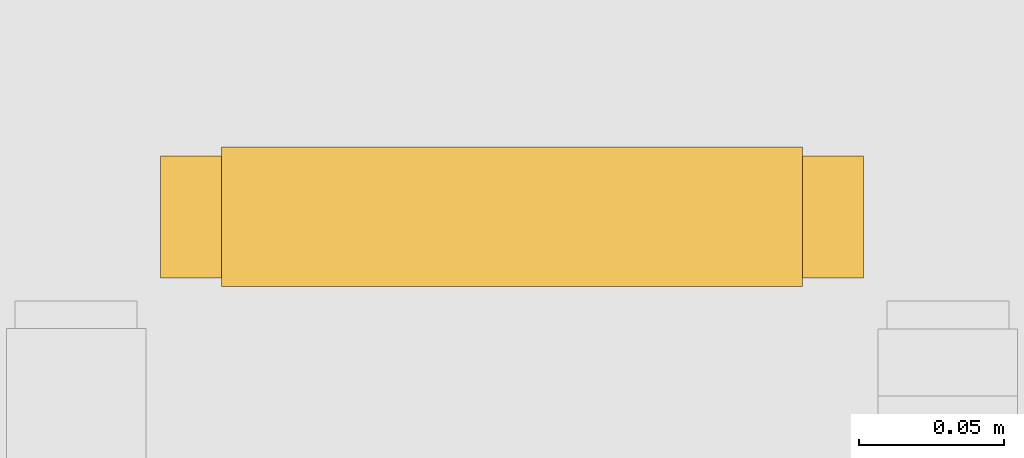
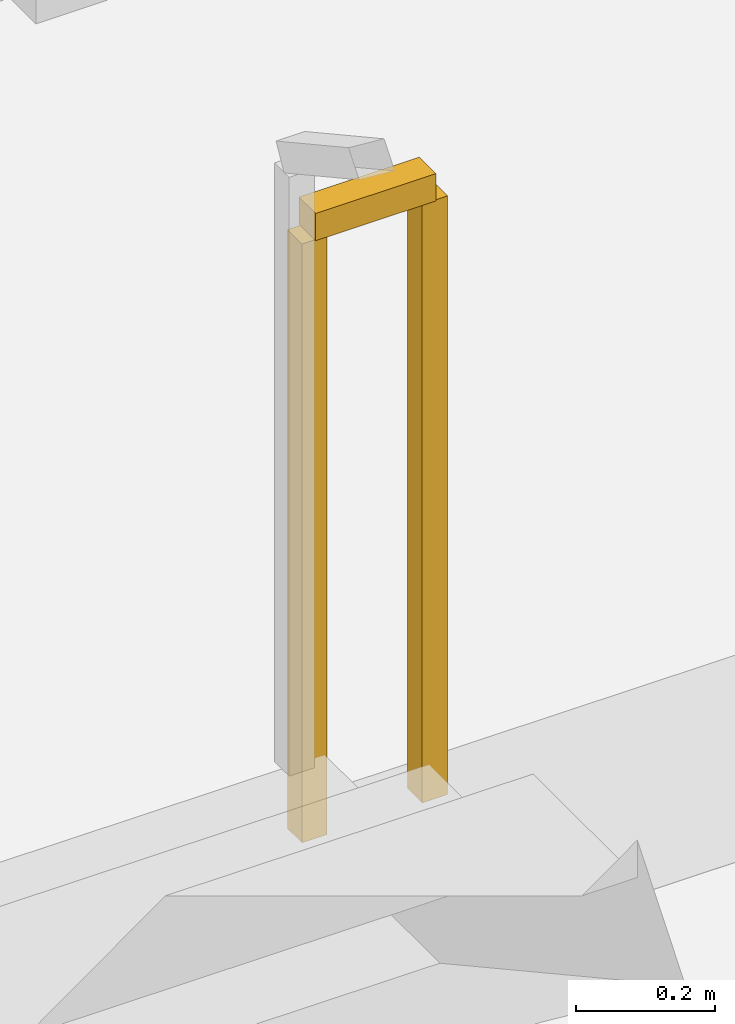
# One storey, part 18 of 25: 1 railing.
"""IFC4 building model written with IfcOpenShell, lengths in metres."""

import ifcopenshell
import ifcopenshell.guid

model = None  # the IFC model being written
_history = None  # IfcOwnerHistory: only IFC2X3 demands one
_inside = {}  # id of a spatial element -> (the spatial element, [elements in it])
_under = {}  # id of a project, library or spatial element -> (it, [spatial elements below it])
_declared = {}  # id of a project -> (the project, [libraries it declares])
_typed = {}  # id of a type object -> (the type object, [elements of that type])
_made_of = {}  # id of a material, layer set ... -> (it, [elements and type objects made of it])


def new_model(schema):
    """Start an empty IFC model of exactly this schema.

    Asked for "IFC4X3", IfcOpenShell would pick the latest addendum, in which some entities
    have other attributes; the version numbers below select the first issue.
    IFC2X3 requires an IfcOwnerHistory on every rooted entity: one is made here for all.
    """
    global model, _history
    if schema == "IFC4X3":
        model = ifcopenshell.file(schema_version=(4, 3, 0, 0))
    else:
        model = ifcopenshell.file(schema=schema)
    _inside.clear()
    _under.clear()
    _declared.clear()
    _typed.clear()
    _made_of.clear()
    _history = None
    if model.schema == "IFC2X3":
        org = make("IfcOrganization", Name="unknown")
        user = make(
            "IfcPersonAndOrganization",
            ThePerson=make("IfcPerson", FamilyName="unknown"),
            TheOrganization=org,
        )
        app = make(
            "IfcApplication",
            ApplicationDeveloper=org,
            Version="unknown",
            ApplicationFullName="unknown",
            ApplicationIdentifier="unknown",
        )
        _history = make(
            "IfcOwnerHistory",
            OwningUser=user,
            OwningApplication=app,
            ChangeAction="ADDED",
            CreationDate=0,
        )
    return model


def make(cls, **values):
    """One entity of the class cls with the attributes given. An attribute that is None is left unset."""
    return model.create_entity(
        cls, **{name: value for name, value in values.items() if value is not None}
    )


def rooted(cls, **values):
    """An entity with a GlobalId (a new one), such as an element, a storey or a relation."""
    return make(cls, GlobalId=ifcopenshell.guid.new(), OwnerHistory=_history, **values)


def si_unit(unit_type, name, prefix=None):
    """IfcSIUnit, for example si_unit("LENGTHUNIT", "METRE", prefix="MILLI")."""
    return make("IfcSIUnit", UnitType=unit_type, Prefix=prefix, Name=name)


def assignment(units):
    """IfcUnitAssignment: the units of a project."""
    return None if units is None else make("IfcUnitAssignment", Units=units)


def point(xyz):
    """IfcCartesianPoint."""
    return None if xyz is None else make("IfcCartesianPoint", Coordinates=xyz)


def direction(xyz):
    """IfcDirection."""
    return None if xyz is None else make("IfcDirection", DirectionRatios=xyz)


def frame(location, z_axis=None, x_axis=None):
    """IfcAxis2Placement3D, a coordinate frame: its origin and axes. An axis left out is left unset."""
    return make(
        "IfcAxis2Placement3D",
        Location=point(location),
        Axis=direction(z_axis),
        RefDirection=direction(x_axis),
    )


def origin():
    """The frame at (0, 0, 0) with its axes left unset."""
    return frame((0.0, 0.0, 0.0))


def place(relative_to, where):
    """IfcLocalPlacement: puts the frame where relative to a parent placement (None: the world)."""
    return make(
        "IfcLocalPlacement", PlacementRelTo=relative_to, RelativePlacement=where
    )


def context(
    kind, dimensions, precision=None, world=None, true_north=None, identifier=None
):
    """IfcGeometricRepresentationContext, for example the 3D "Model" context."""
    return make(
        "IfcGeometricRepresentationContext",
        ContextIdentifier=identifier,
        ContextType=kind,
        CoordinateSpaceDimension=dimensions,
        Precision=precision,
        WorldCoordinateSystem=world,
        TrueNorth=true_north,
    )


def subcontext(parent, identifier, kind, view, scale=None):
    """IfcGeometricRepresentationSubContext, for example "Body" below "Model"."""
    return make(
        "IfcGeometricRepresentationSubContext",
        ContextIdentifier=identifier,
        ContextType=kind,
        ParentContext=parent,
        TargetScale=scale,
        TargetView=view,
    )


def project(units=None, contexts=None):
    """IfcProject with its units and contexts."""
    return rooted(
        "IfcProject",
        Name="project",
        RepresentationContexts=contexts,
        UnitsInContext=assignment(units),
    )


def spatial(cls, under=None, at=None, **own):
    """A site, building, storey or space (cls), placed at a placement, below another one or the project."""
    s = rooted(cls, ObjectPlacement=at, **own)
    if under is not None:
        _under.setdefault(under.id(), (under, []))[1].append(s)
    return s


def profile(cls, at=None, kind="AREA", **sizes):
    """A parametric profile (cls). Its sizes go by their IFC names, for example OverallWidth=200.0."""
    return make(cls, ProfileType=kind, Position=at, **sizes)


def rectangle(**sizes):
    """IfcRectangleProfileDef."""
    return profile("IfcRectangleProfileDef", **sizes)


def extrude(swept, where, along, depth):
    """IfcExtrudedAreaSolid: the profile swept, set in the frame where, extruded along a direction by depth."""
    return make(
        "IfcExtrudedAreaSolid",
        SweptArea=swept,
        Position=where,
        ExtrudedDirection=direction(along),
        Depth=depth,
    )


def shape(context_of_items, identifier, shape_type, items):
    """IfcShapeRepresentation: the items that make up one representation, for example the "Body"."""
    return make(
        "IfcShapeRepresentation",
        ContextOfItems=context_of_items,
        RepresentationIdentifier=identifier,
        RepresentationType=shape_type,
        Items=items,
    )


def material(Name=None, Category=None):
    """IfcMaterial."""
    return make("IfcMaterial", Name=Name, Category=Category)


def made_of(thing, what):
    """Note that an element or type object is made of a material, layer set ...; save() writes the relation."""
    if what is not None:
        _made_of.setdefault(what.id(), (what, []))[1].append(thing)
    return thing


def type_object(cls, material=None, **own):
    """A type object (cls), such as IfcWallType, which elements share."""
    return made_of(rooted(cls, **own), material)


def element(
    cls,
    number,
    at=None,
    inside=None,
    cuts=None,
    type_object=None,
    material=None,
    context=None,
    identifier="Body",
    shape_type=None,
    held_by="IfcProductDefinitionShape",
    body=None,
    shapes=None,
    **own,
):
    """One element of the class cls, such as IfcWall. Its Tag is "e" and its number.

    at: its placement. inside: the storey or other place that contains it. cuts: it is an
    opening in that element (IfcRelVoidsElement). A single representation is given by context,
    identifier, shape_type and body (its items); several are given by shapes. held_by: the class
    of the entity that holds the representations. save() writes the other relations.
    """
    e = rooted(cls, Tag="e%d" % number, ObjectPlacement=at, **own)
    if body is not None:
        shapes = [shape(context, identifier, shape_type, body)]
    if shapes is not None:
        e.Representation = make(held_by, Representations=shapes)
    if inside is not None:
        _inside.setdefault(inside.id(), (inside, []))[1].append(e)
    if cuts is not None:
        rooted(
            "IfcRelVoidsElement", RelatingBuildingElement=cuts, RelatedOpeningElement=e
        )
    if type_object is not None:
        _typed.setdefault(type_object.id(), (type_object, []))[1].append(e)
    return made_of(e, material)


def aggregate(whole, parts):
    """IfcRelAggregates: a whole, such as a stair, and the parts it consists of."""
    return rooted("IfcRelAggregates", RelatingObject=whole, RelatedObjects=parts)


def save(model, path):
    """Write the relations noted so far, then the file.

    IfcRelAggregates (storeys below a building ...), IfcRelContainedInSpatialStructure (elements
    in a storey), IfcRelDefinesByType, IfcRelAssociatesMaterial and IfcRelDeclares: one each for
    every whole, place, type object, material and project.
    """
    for whole, parts in _under.values():
        aggregate(whole, parts)
    for where, things in _inside.values():
        rooted(
            "IfcRelContainedInSpatialStructure",
            RelatedElements=things,
            RelatingStructure=where,
        )
    for kind, things in _typed.values():
        rooted("IfcRelDefinesByType", RelatedObjects=things, RelatingType=kind)
    for what, things in _made_of.values():
        rooted("IfcRelAssociatesMaterial", RelatedObjects=things, RelatingMaterial=what)
    for by, libraries in _declared.values():
        rooted("IfcRelDeclares", RelatingContext=by, RelatedDefinitions=libraries)
    model.write(path)


model = new_model("IFC4")

# Units and contexts
model_context = context("Model", 3, precision=1e-05, world=origin(), true_north=direction((0.0, 1.0)))
body_context = subcontext(model_context, "Body", "Model", "MODEL_VIEW")
ifc_project = project(units=[si_unit("LENGTHUNIT", "METRE"), si_unit("AREAUNIT", "SQUARE_METRE"), si_unit("VOLUMEUNIT", "CUBIC_METRE"), si_unit("PLANEANGLEUNIT", "RADIAN"), si_unit("MASSUNIT", "GRAM", prefix="KILO")], contexts=[model_context])

# Site, building, storey
site_placement = place(None, origin())
site = spatial("IfcSite", under=ifc_project, at=site_placement, CompositionType="ELEMENT")
building_placement = place(site_placement, origin())
building = spatial("IfcBuilding", under=site, at=building_placement, Name="Tanjung Sevakor Pilgrim Tower", CompositionType="ELEMENT")
storey_placement = place(building_placement, origin())
storey = spatial("IfcBuildingStorey", under=building, at=storey_placement, Name="L01", CompositionType="ELEMENT", Elevation=0.0)

# Railing
ifc_material = material(Name="Steel S355J2", Category="steel")
railing_type = type_object("IfcRailingType", Name="RL-STAIR-GUARD", PredefinedType="GUARDRAIL", material=ifc_material)
railing_placement = place(storey_placement, frame((45.35009765625, 14.949951171875, 0.0)))
element("IfcRailing", 1, at=railing_placement, inside=storey, type_object=railing_type, Name="L01 PS-3 stair guard 4", PredefinedType="GUARDRAIL", context=body_context, shape_type="SweptSolid", body=[
    extrude(rectangle(XDim=0.0479, YDim=0.0479), frame((0.0, 0.0, 1.076171875), z_axis=(1.0, 0.0, 0.0), x_axis=(0.0, 1.0, 0.0)), (0.0, 0.0, 1.0), 0.199951171875),
    extrude(rectangle(XDim=0.042, YDim=0.042), origin(), (0.0, 0.0, 1.0), 1.052001953125),
    extrude(rectangle(XDim=0.042, YDim=0.042), frame((0.199951171875, 0.0, 0.0)), (0.0, 0.0, 1.0), 1.052001953125),
])

save(model, "model.ifc")
